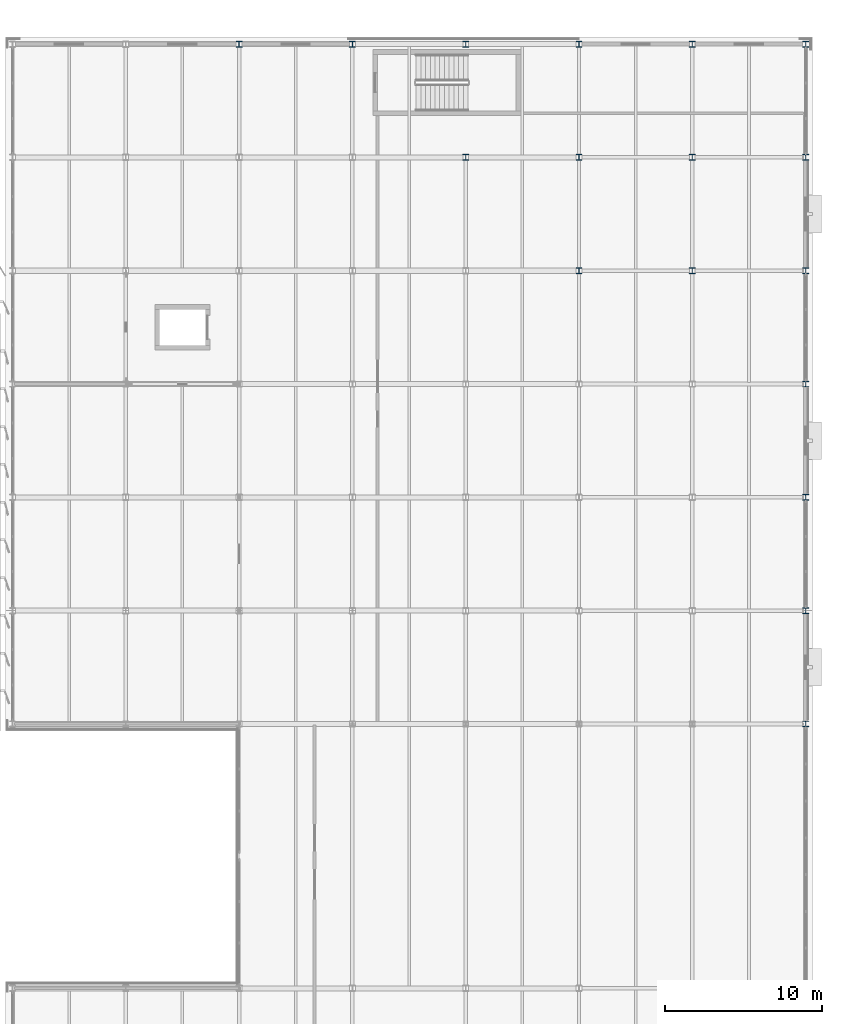
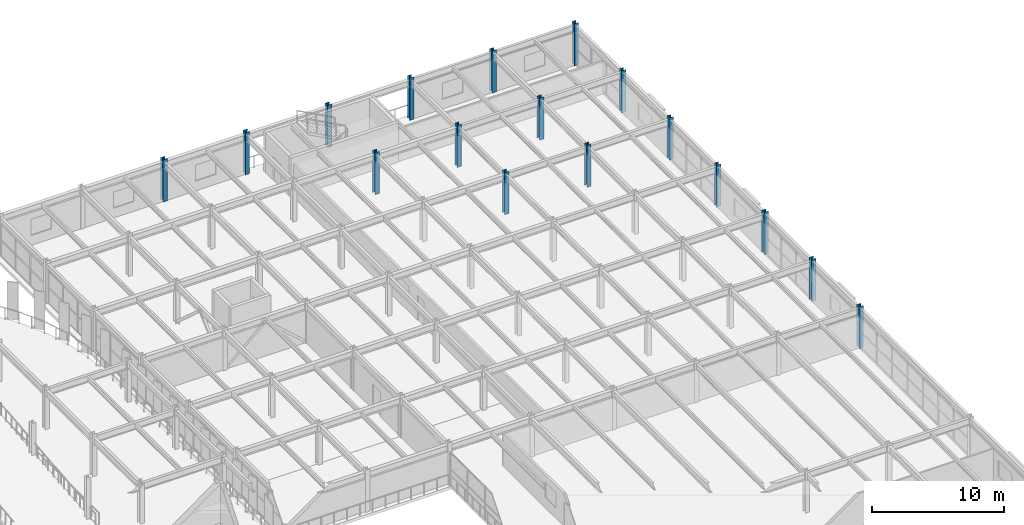
# One storey, part 17 of 93: 17 columns.
"""IFC4 building model written with IfcOpenShell, lengths in metres."""

from ifc_helpers import new_model, si_unit, direction, frame, origin, origin_2d, place, context, subcontext, project, spatial, i_section, extrude, material, material_profile, profile_set, type_object, element, save


model = new_model("IFC4")

# Units and contexts
model_context = context("Model", 3, precision=1e-05, world=origin(), true_north=direction((0.0, 1.0)))
body_context = subcontext(model_context, "Body", "Model", "MODEL_VIEW")
ifc_project = project(units=[si_unit("LENGTHUNIT", "METRE"), si_unit("AREAUNIT", "SQUARE_METRE"), si_unit("VOLUMEUNIT", "CUBIC_METRE"), si_unit("PLANEANGLEUNIT", "RADIAN"), si_unit("MASSUNIT", "GRAM", prefix="KILO")], contexts=[model_context])

# Site, building, storey
site_placement = place(None, origin())
site = spatial("IfcSite", under=ifc_project, at=site_placement, CompositionType="ELEMENT")
building_placement = place(site_placement, origin())
building = spatial("IfcBuilding", under=site, at=building_placement, Name="Vaelcorin Mobility Hub", CompositionType="ELEMENT")
storey_placement = place(building_placement, frame((0.0, 0.0, 5.39990234375)))
storey = spatial("IfcBuildingStorey", under=building, at=storey_placement, Name="L01", CompositionType="ELEMENT", Elevation=5.39990234375)

# Columns
ifc_material = material(Name="Steel ASTM A992 Grade 50", Category="steel")
ifc_material_profile = material_profile(ifc_material, i_section(OverallWidth=0.373046875, OverallDepth=0.373046875, WebThickness=0.016357421875, FlangeThickness=0.026123046875, FilletRadius=0.014892578125, at=origin_2d()), Name="W14X132")
ifc_profile_set = profile_set([ifc_material_profile], Name="Steel ASTM A992 Grade 50")
column_type = type_object("IfcColumnType", Name="COL-W14X132", PredefinedType="COLUMN", material=ifc_profile_set)
for number, where, z_axis, x_axis, name in (
    (1, (168.0, 120.0, 0.0), (0.0, 0.0, 1.0), (1.0, 0.0, 0.0), "Column V5-X03Y15 L01"),
    (2, (175.199951171875, 120.0, 0.0), (0.0, 0.0, 1.0), (1.0, 0.0, 0.0), "Column V5-X04Y15 L01"),
    (3, (182.39990234375, 112.800048828125, 0.0), (0.0, 0.0, 1.0), (1.0, 0.0, 0.0), "Column V5-X05Y14 L01"),
    (4, (182.39990234375, 120.0, 0.0), (0.0, 0.0, 1.0), (1.0, 0.0, 0.0), "Column V5-X05Y15 L01"),
    (5, (189.60009765625, 105.60009765625, 0.0), (0.0, 0.0, 1.0), (1.0, 0.0, 0.0), "Column V5-X06Y13 L01"),
    (6, (189.60009765625, 112.800048828125, 0.0), (0.0, 0.0, 1.0), (1.0, 0.0, 0.0), "Column V5-X06Y14 L01"),
    (7, (189.60009765625, 120.0, 0.0), (0.0, 0.0, 1.0), (1.0, 0.0, 0.0), "Column V5-X06Y15 L01"),
    (8, (196.800048828125, 105.60009765625, 0.0), (0.0, 0.0, 1.0), (1.0, 0.0, 0.0), "Column V5-X07Y13 L01"),
    (9, (196.800048828125, 112.800048828125, 0.0), (0.0, 0.0, 1.0), (1.0, 0.0, 0.0), "Column V5-X07Y14 L01"),
    (10, (196.800048828125, 120.0, 0.0), (0.0, 0.0, 1.0), (1.0, 0.0, 0.0), "Column V5-X07Y15 L01"),
    (11, (204.0, 76.800048828125, 0.0), (0.0, 0.0, 1.0), (1.0, 0.0, 0.0), "Column V5-X08Y09 L01"),
    (12, (204.0, 84.0, 0.0), (0.0, 0.0, 1.0), (1.0, 0.0, 0.0), "Column V5-X08Y10 L01"),
    (13, (204.0, 91.199951171875, 0.0), (0.0, 0.0, 1.0), (1.0, 0.0, 0.0), "Column V5-X08Y11 L01"),
    (14, (204.0, 98.39990234375, 0.0), (0.0, 0.0, 1.0), (1.0, 0.0, 0.0), "Column V5-X08Y12 L01"),
    (15, (204.0, 105.60009765625, 0.0), (0.0, 0.0, 1.0), (1.0, 0.0, 0.0), "Column V5-X08Y13 L01"),
    (16, (204.0, 112.800048828125, 0.0), (0.0, 0.0, 1.0), (1.0, 0.0, 0.0), "Column V5-X08Y14 L01"),
    (17, (204.0, 120.0, 0.0), (0.0, 0.0, 1.0), (1.0, 0.0, 0.0), "Column V5-X08Y15 L01"),
):
    element("IfcColumn", number, at=place(storey_placement, frame(where, z_axis=z_axis, x_axis=x_axis)), inside=storey, type_object=column_type, Name=name, PredefinedType="COLUMN", context=body_context, shape_type="SweptSolid", body=[
        extrude(i_section(OverallWidth=0.373046875, OverallDepth=0.373046875, WebThickness=0.016357421875, FlangeThickness=0.026123046875, FilletRadius=0.014892578125, at=origin_2d()), origin(), (0.0, 0.0, 1.0), 3.900146484375),
    ])

save(model, "model.ifc")
